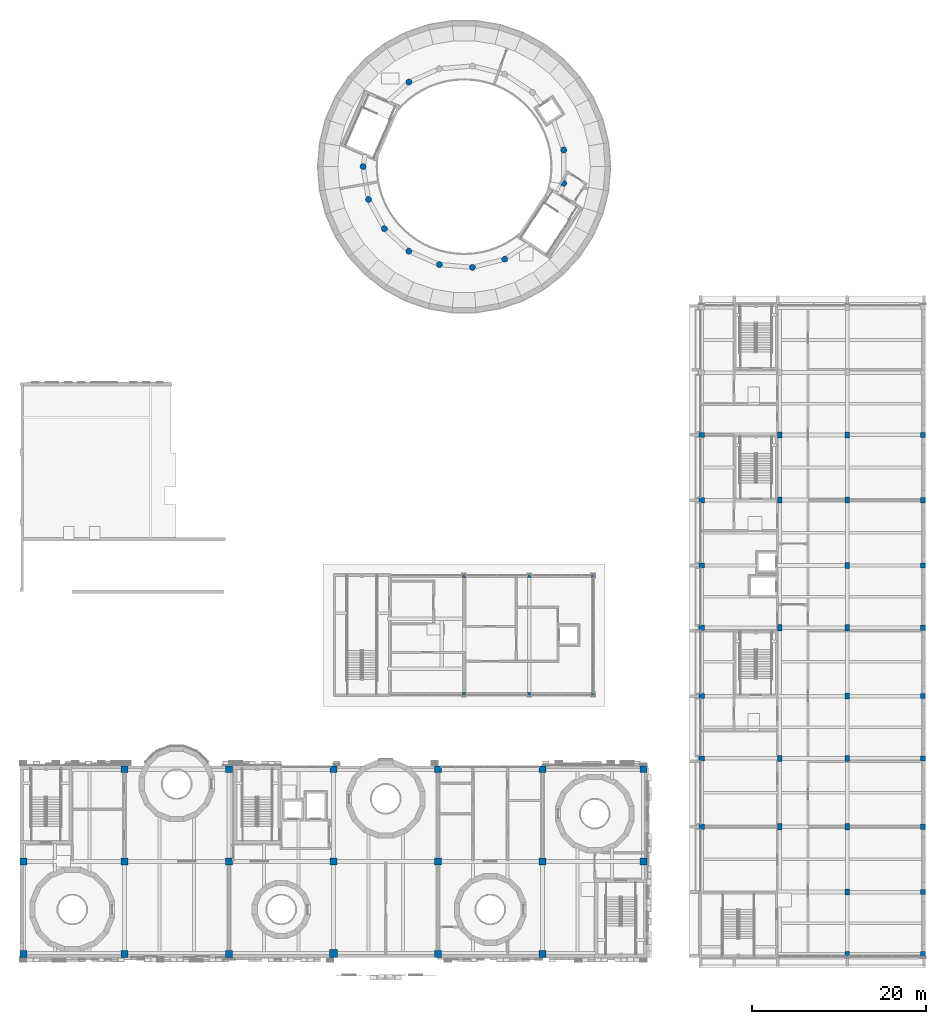
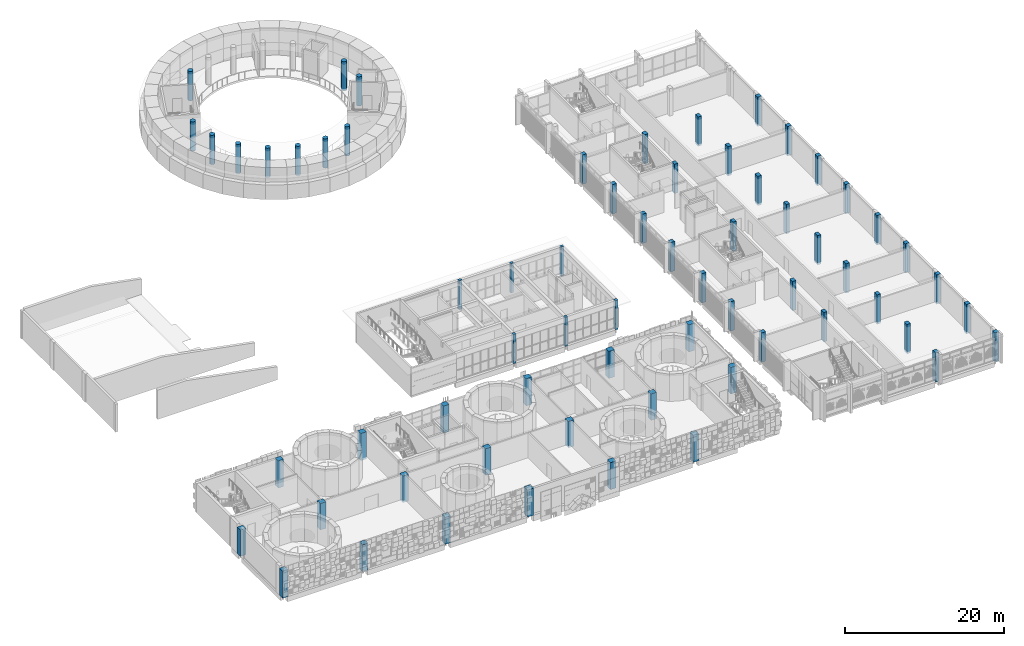
# One storey, part 1 of 92: 65 columns.
"""IFC4 building model written with IfcOpenShell, lengths in metres."""

from ifc_helpers import new_model, si_unit, direction, frame, origin, origin_2d, place, context, subcontext, project, spatial, rectangle, circle, extrude, material, material_profile, profile_set, type_object, element, save


model = new_model("IFC4")

# Units and contexts
model_context = context("Model", 3, precision=1e-05, world=origin(), true_north=direction((0.0, 1.0)))
body_context = subcontext(model_context, "Body", "Model", "MODEL_VIEW")
ifc_project = project(units=[si_unit("LENGTHUNIT", "METRE"), si_unit("AREAUNIT", "SQUARE_METRE"), si_unit("VOLUMEUNIT", "CUBIC_METRE"), si_unit("PLANEANGLEUNIT", "RADIAN"), si_unit("MASSUNIT", "GRAM", prefix="KILO")], contexts=[model_context])

# Site, building, storey
site_placement = place(None, origin())
site = spatial("IfcSite", under=ifc_project, at=site_placement, CompositionType="ELEMENT")
building_placement = place(site_placement, origin())
building = spatial("IfcBuilding", under=site, at=building_placement, Name="Sun Court Science Centre", CompositionType="ELEMENT")
storey_placement = place(building_placement, frame((0.0, 0.0, 11.25)))
storey = spatial("IfcBuildingStorey", under=building, at=storey_placement, Name="L02", CompositionType="ELEMENT", Elevation=11.25)

# Columns
ifc_material_1 = material(Name="Concrete C30/37", Category="concrete")
ifc_material_profile_1 = material_profile(ifc_material_1, rectangle(XDim=0.39990234375, YDim=0.39990234375, at=origin_2d()), Name="RC 400x400")
ifc_profile_set_1 = profile_set([ifc_material_profile_1], Name="Concrete C30/37")
column_type_1 = type_object("IfcColumnType", Name="RC column 400x400", PredefinedType="COLUMN", material=ifc_profile_set_1)
for number, where, z_axis, x_axis, name in (
    (1, (51.0, 36.199951171875, -0.300048828125), (0.0, 0.0, 1.0), (1.0, 0.0, 0.0), "Column 7G L02"),
    (2, (51.0, 49.800048828125, -0.300048828125), (0.0, 0.0, 1.0), (1.0, 0.0, 0.0), "Column 750 L02"),
    (3, (58.5, 36.199951171875, -0.300048828125), (0.0, 0.0, 1.0), (1.0, 0.0, 0.0), "Column 8G L02"),
    (4, (58.5, 49.800048828125, -0.300048828125), (0.0, 0.0, 1.0), (1.0, 0.0, 0.0), "Column 850 L02"),
    (5, (65.800048828125, 36.199951171875, -0.300048828125), (0.0, 0.0, 1.0), (1.0, 0.0, 0.0), "Column 10G L02"),
    (6, (65.800048828125, 49.800048828125, -0.300048828125), (0.0, 0.0, 1.0), (1.0, 0.0, 0.0), "Column 1050 L02"),
):
    element("IfcColumn", number, at=place(storey_placement, frame(where, z_axis=z_axis, x_axis=x_axis)), inside=storey, type_object=column_type_1, Name=name, PredefinedType="COLUMN", context=body_context, shape_type="SweptSolid", body=[
        extrude(rectangle(XDim=0.39990234375, YDim=0.39990234375, at=origin_2d()), origin(), (0.0, 0.0, 1.0), 4.5),
    ])
ifc_material_2 = material(Name="Concrete C30/37", Category="concrete")
ifc_material_profile_2 = material_profile(ifc_material_2, rectangle(XDim=0.5, YDim=0.699951171875, at=origin_2d()), Name="RC 500x700")
ifc_profile_set_2 = profile_set([ifc_material_profile_2], Name="Concrete C30/37")
column_type_2 = type_object("IfcColumnType", Name="RC column 500x700", PredefinedType="COLUMN", material=ifc_profile_set_2)
for number, where, z_axis, x_axis, name in (
    (7, (87.25, 21.0, -0.300048828125), (0.0, 0.0, 1.0), (1.0, 0.0, 0.0), "Column 14D L02"),
    (8, (87.25, 28.85009765625, -0.300048828125), (0.0, 0.0, 1.0), (1.0, 0.0, 0.0), "Column 14F L02"),
    (9, (87.25, 43.85009765625, -0.300048828125), (0.0, 0.0, 1.0), (1.0, 0.0, 0.0), "Column 14J L02"),
    (10, (87.25, 58.5, -0.300048828125), (0.0, 0.0, 1.0), (1.0, 0.0, 0.0), "Column 14P L02"),
    (11, (87.25, 66.0, -0.300048828125), (0.0, 0.0, 1.0), (1.0, 0.0, 0.0), "Column 14R L02"),
    (12, (95.0, 6.35009765625, -0.300048828125), (0.0, 0.0, 1.0), (1.0, 0.0, 0.0), "Column 15A L02"),
    (13, (95.0, 13.5, -0.300048828125), (0.0, 0.0, 1.0), (1.0, 0.0, 0.0), "Column 15B L02"),
    (14, (95.0, 21.0, -0.300048828125), (0.0, 0.0, 1.0), (1.0, 0.0, 0.0), "Column 15D L02"),
    (15, (95.0, 28.85009765625, -0.300048828125), (0.0, 0.0, 1.0), (1.0, 0.0, 0.0), "Column 15F L02"),
    (16, (95.0, 36.0, -0.300048828125), (0.0, 0.0, 1.0), (1.0, 0.0, 0.0), "Column 15G L02"),
    (17, (95.0, 43.85009765625, -0.300048828125), (0.0, 0.0, 1.0), (1.0, 0.0, 0.0), "Column 15J L02"),
    (18, (95.0, 51.0, -0.300048828125), (0.0, 0.0, 1.0), (1.0, 0.0, 0.0), "Column 15M L02"),
    (19, (95.0, 58.5, -0.300048828125), (0.0, 0.0, 1.0), (1.0, 0.0, 0.0), "Column 15P L02"),
    (20, (95.0, 66.0, -0.300048828125), (0.0, 0.0, 1.0), (1.0, 0.0, 0.0), "Column 15R L02"),
):
    element("IfcColumn", number, at=place(storey_placement, frame(where, z_axis=z_axis, x_axis=x_axis)), inside=storey, type_object=column_type_2, Name=name, PredefinedType="COLUMN", context=body_context, shape_type="SweptSolid", body=[
        extrude(rectangle(XDim=0.5, YDim=0.699951171875, at=origin_2d()), origin(), (0.0, 0.0, 1.0), 4.5),
    ])
ifc_material_3 = material(Name="Concrete C30/37", Category="concrete")
ifc_material_profile_3 = material_profile(ifc_material_3, rectangle(XDim=0.60009765625, YDim=0.60009765625, at=origin_2d()), Name="RC 600x600")
ifc_profile_set_3 = profile_set([ifc_material_profile_3], Name="Concrete C30/37")
column_type_3 = type_object("IfcColumnType", Name="RC column 600x600", PredefinedType="COLUMN", material=ifc_profile_set_3)
for number, where, z_axis, x_axis, name in (
    (21, (78.300048828125, 21.0, -0.300048828125), (0.0, 0.0, 1.0), (1.0, 0.0, 0.0), "Column 12D L02"),
    (22, (78.300048828125, 28.85009765625, -0.300048828125), (0.0, 0.0, 1.0), (1.0, 0.0, 0.0), "Column 12F L02"),
    (23, (78.300048828125, 36.0, -0.300048828125), (0.0, 0.0, 1.0), (1.0, 0.0, 0.0), "Column 12G L02"),
    (24, (78.300048828125, 43.85009765625, -0.300048828125), (0.0, 0.0, 1.0), (1.0, 0.0, 0.0), "Column 12J L02"),
    (25, (78.300048828125, 51.0, -0.300048828125), (0.0, 0.0, 1.0), (1.0, 0.0, 0.0), "Column 12M L02"),
    (26, (78.300048828125, 58.5, -0.300048828125), (0.0, 0.0, 1.0), (1.0, 0.0, 0.0), "Column 12P L02"),
    (27, (78.300048828125, 66.0, -0.300048828125), (0.0, 0.0, 1.0), (1.0, 0.0, 0.0), "Column 12R L02"),
    (28, (103.699951171875, 6.35009765625, -0.300048828125), (0.0, 0.0, 1.0), (1.0, 0.0, 0.0), "Column 16A L02"),
    (29, (103.699951171875, 13.5, -0.300048828125), (0.0, 0.0, 1.0), (1.0, 0.0, 0.0), "Column 16B L02"),
    (30, (103.699951171875, 21.0, -0.300048828125), (0.0, 0.0, 1.0), (1.0, 0.0, 0.0), "Column 16D L02"),
    (31, (103.699951171875, 28.85009765625, -0.300048828125), (0.0, 0.0, 1.0), (1.0, 0.0, 0.0), "Column 16F L02"),
    (32, (103.699951171875, 36.0, -0.300048828125), (0.0, 0.0, 1.0), (1.0, 0.0, 0.0), "Column 16G L02"),
    (33, (103.699951171875, 43.85009765625, -0.300048828125), (0.0, 0.0, 1.0), (1.0, 0.0, 0.0), "Column 16J L02"),
    (34, (103.699951171875, 51.0, -0.300048828125), (0.0, 0.0, 1.0), (1.0, 0.0, 0.0), "Column 16M L02"),
    (35, (103.699951171875, 58.5, -0.300048828125), (0.0, 0.0, 1.0), (1.0, 0.0, 0.0), "Column 16P L02"),
    (36, (103.699951171875, 66.0, -0.300048828125), (0.0, 0.0, 1.0), (1.0, 0.0, 0.0), "Column 16R L02"),
):
    element("IfcColumn", number, at=place(storey_placement, frame(where, z_axis=z_axis, x_axis=x_axis)), inside=storey, type_object=column_type_3, Name=name, PredefinedType="COLUMN", context=body_context, shape_type="SweptSolid", body=[
        extrude(rectangle(XDim=0.60009765625, YDim=0.60009765625, at=origin_2d()), origin(), (0.0, 0.0, 1.0), 4.5),
    ])
ifc_material_4 = material(Name="Concrete C30/37", Category="concrete")
ifc_material_profile_4 = material_profile(ifc_material_4, rectangle(XDim=0.800048828125, YDim=0.800048828125, at=origin_2d()), Name="RC 800x800")
ifc_profile_set_4 = profile_set([ifc_material_profile_4], Name="Concrete C30/37")
column_type_4 = type_object("IfcColumnType", Name="RC column 800x800", PredefinedType="COLUMN", material=ifc_profile_set_4)
column_1_placement = place(storey_placement, frame((0.39990234375, 6.39990234375, -0.300048828125), z_axis=(0.0, 0.0, 1.0), x_axis=(1.0, 0.0, 0.0)))
element("IfcColumn", 37, at=column_1_placement, inside=storey, type_object=column_type_4, Name="Column 1A L02", PredefinedType="COLUMN", context=body_context, shape_type="SweptSolid", body=[
    extrude(rectangle(XDim=0.800048828125, YDim=0.800048828125, at=origin_2d()), origin(), (0.0, 0.0, 1.0), 4.16015625),
])
column_2_placement = place(storey_placement, frame((0.39990234375, 17.0, -0.300048828125), z_axis=(0.0, 0.0, 1.0), x_axis=(1.0, 0.0, 0.0)))
element("IfcColumn", 38, at=column_2_placement, inside=storey, type_object=column_type_4, Name="Column 1C L02", PredefinedType="COLUMN", context=body_context, shape_type="SweptSolid", body=[
    extrude(rectangle(XDim=0.800048828125, YDim=0.800048828125, at=origin_2d()), origin(), (0.0, 0.0, 1.0), 4.050048828125),
])
column_3_placement = place(storey_placement, frame((12.0, 6.39990234375, -0.300048828125), z_axis=(0.0, 0.0, 1.0), x_axis=(1.0, 0.0, 0.0)))
element("IfcColumn", 39, at=column_3_placement, inside=storey, type_object=column_type_4, Name="Column 2A L02", PredefinedType="COLUMN", context=body_context, shape_type="SweptSolid", body=[
    extrude(rectangle(XDim=0.800048828125, YDim=0.800048828125, at=origin_2d()), origin(), (0.0, 0.0, 1.0), 4.16015625),
])
column_4_placement = place(storey_placement, frame((12.0, 17.0, -0.300048828125), z_axis=(0.0, 0.0, 1.0), x_axis=(1.0, 0.0, 0.0)))
element("IfcColumn", 40, at=column_4_placement, inside=storey, type_object=column_type_4, Name="Column 2C L02", PredefinedType="COLUMN", context=body_context, shape_type="SweptSolid", body=[
    extrude(rectangle(XDim=0.800048828125, YDim=0.800048828125, at=origin_2d()), origin(), (0.0, 0.0, 1.0), 4.050048828125),
])
for number, where, z_axis, x_axis, name in (
    (41, (12.0, 27.60009765625, -0.300048828125), (0.0, 0.0, 1.0), (1.0, 0.0, 0.0), "Column 2E L02"),
    (42, (24.0, 6.39990234375, -0.300048828125), (0.0, 0.0, 1.0), (1.0, 0.0, 0.0), "Column 3A L02"),
):
    element("IfcColumn", number, at=place(storey_placement, frame(where, z_axis=z_axis, x_axis=x_axis)), inside=storey, type_object=column_type_4, Name=name, PredefinedType="COLUMN", context=body_context, shape_type="SweptSolid", body=[
        extrude(rectangle(XDim=0.800048828125, YDim=0.800048828125, at=origin_2d()), origin(), (0.0, 0.0, 1.0), 4.16015625),
    ])
column_5_placement = place(storey_placement, frame((24.0, 17.0, -0.300048828125), z_axis=(0.0, 0.0, 1.0), x_axis=(1.0, 0.0, 0.0)))
element("IfcColumn", 43, at=column_5_placement, inside=storey, type_object=column_type_4, Name="Column 3C L02", PredefinedType="COLUMN", context=body_context, shape_type="SweptSolid", body=[
    extrude(rectangle(XDim=0.800048828125, YDim=0.800048828125, at=origin_2d()), origin(), (0.0, 0.0, 1.0), 4.050048828125),
])
column_6_placement = place(storey_placement, frame((24.0, 27.60009765625, -0.300048828125), z_axis=(0.0, 0.0, 1.0), x_axis=(1.0, 0.0, 0.0)))
element("IfcColumn", 44, at=column_6_placement, inside=storey, type_object=column_type_4, Name="Column 3E L02", PredefinedType="COLUMN", context=body_context, shape_type="SweptSolid", body=[
    extrude(rectangle(XDim=0.800048828125, YDim=0.800048828125, at=origin_2d()), origin(), (0.0, 0.0, 1.0), 4.16015625),
])
column_7_placement = place(storey_placement, frame((36.0, 17.0, -0.300048828125), z_axis=(0.0, 0.0, 1.0), x_axis=(1.0, 0.0, 0.0)))
element("IfcColumn", 45, at=column_7_placement, inside=storey, type_object=column_type_4, Name="Column 4C L02", PredefinedType="COLUMN", context=body_context, shape_type="SweptSolid", body=[
    extrude(rectangle(XDim=0.800048828125, YDim=0.800048828125, at=origin_2d()), origin(), (0.0, 0.0, 1.0), 4.050048828125),
])
for number, where, z_axis, x_axis, name in (
    (46, (36.0, 27.60009765625, -0.300048828125), (0.0, 0.0, 1.0), (1.0, 0.0, 0.0), "Column 4E L02"),
    (47, (48.0, 6.39990234375, -0.300048828125), (0.0, 0.0, 1.0), (1.0, 0.0, 0.0), "Column 6A L02"),
):
    element("IfcColumn", number, at=place(storey_placement, frame(where, z_axis=z_axis, x_axis=x_axis)), inside=storey, type_object=column_type_4, Name=name, PredefinedType="COLUMN", context=body_context, shape_type="SweptSolid", body=[
        extrude(rectangle(XDim=0.800048828125, YDim=0.800048828125, at=origin_2d()), origin(), (0.0, 0.0, 1.0), 4.16015625),
    ])
column_8_placement = place(storey_placement, frame((48.0, 17.0, -0.300048828125), z_axis=(0.0, 0.0, 1.0), x_axis=(1.0, 0.0, 0.0)))
element("IfcColumn", 48, at=column_8_placement, inside=storey, type_object=column_type_4, Name="Column 6C L02", PredefinedType="COLUMN", context=body_context, shape_type="SweptSolid", body=[
    extrude(rectangle(XDim=0.800048828125, YDim=0.800048828125, at=origin_2d()), origin(), (0.0, 0.0, 1.0), 4.050048828125),
])
for number, where, z_axis, x_axis, name in (
    (49, (48.0, 27.60009765625, -0.300048828125), (0.0, 0.0, 1.0), (1.0, 0.0, 0.0), "Column 6E L02"),
    (50, (60.0, 6.39990234375, -0.300048828125), (0.0, 0.0, 1.0), (1.0, 0.0, 0.0), "Column 9A L02"),
):
    element("IfcColumn", number, at=place(storey_placement, frame(where, z_axis=z_axis, x_axis=x_axis)), inside=storey, type_object=column_type_4, Name=name, PredefinedType="COLUMN", context=body_context, shape_type="SweptSolid", body=[
        extrude(rectangle(XDim=0.800048828125, YDim=0.800048828125, at=origin_2d()), origin(), (0.0, 0.0, 1.0), 4.16015625),
    ])
column_9_placement = place(storey_placement, frame((60.0, 17.0, -0.300048828125), z_axis=(0.0, 0.0, 1.0), x_axis=(1.0, 0.0, 0.0)))
element("IfcColumn", 51, at=column_9_placement, inside=storey, type_object=column_type_4, Name="Column 9C L02", PredefinedType="COLUMN", context=body_context, shape_type="SweptSolid", body=[
    extrude(rectangle(XDim=0.800048828125, YDim=0.800048828125, at=origin_2d()), origin(), (0.0, 0.0, 1.0), 4.050048828125),
])
column_10_placement = place(storey_placement, frame((60.0, 27.60009765625, -0.300048828125), z_axis=(0.0, 0.0, 1.0), x_axis=(1.0, 0.0, 0.0)))
element("IfcColumn", 52, at=column_10_placement, inside=storey, type_object=column_type_4, Name="Column 9E L02", PredefinedType="COLUMN", context=body_context, shape_type="SweptSolid", body=[
    extrude(rectangle(XDim=0.800048828125, YDim=0.800048828125, at=origin_2d()), origin(), (0.0, 0.0, 1.0), 4.16015625),
])
column_11_placement = place(storey_placement, frame((71.60009765625, 17.0, -0.300048828125), z_axis=(0.0, 0.0, 1.0), x_axis=(1.0, 0.0, 0.0)))
element("IfcColumn", 53, at=column_11_placement, inside=storey, type_object=column_type_4, Name="Column 11C L02", PredefinedType="COLUMN", context=body_context, shape_type="SweptSolid", body=[
    extrude(rectangle(XDim=0.800048828125, YDim=0.800048828125, at=origin_2d()), origin(), (0.0, 0.0, 1.0), 4.050048828125),
])
column_12_placement = place(storey_placement, frame((71.60009765625, 27.60009765625, -0.300048828125), z_axis=(0.0, 0.0, 1.0), x_axis=(1.0, 0.0, 0.0)))
element("IfcColumn", 54, at=column_12_placement, inside=storey, type_object=column_type_4, Name="Column 11E L02", PredefinedType="COLUMN", context=body_context, shape_type="SweptSolid", body=[
    extrude(rectangle(XDim=0.800048828125, YDim=0.800048828125, at=origin_2d()), origin(), (0.0, 0.0, 1.0), 4.16015625),
])
ifc_material_5 = material(Name="Concrete C30/37", Category="concrete")
ifc_material_profile_5 = material_profile(ifc_material_5, rectangle(XDim=0.89990234375, YDim=0.89990234375, at=origin_2d()), Name="RC 900x900")
ifc_profile_set_5 = profile_set([ifc_material_profile_5], Name="Concrete C30/37")
column_type_5 = type_object("IfcColumnType", Name="RC column 900x900", PredefinedType="COLUMN", material=ifc_profile_set_5)
column_13_placement = place(storey_placement, frame((36.0, 6.449951171875, -0.300048828125), z_axis=(0.0, 0.0, 1.0), x_axis=(1.0, 0.0, 0.0)))
element("IfcColumn", 55, at=column_13_placement, inside=storey, type_object=column_type_5, Name="Column 4A L02", PredefinedType="COLUMN", context=body_context, shape_type="SweptSolid", body=[
    extrude(rectangle(XDim=0.89990234375, YDim=0.89990234375, at=origin_2d()), origin(), (0.0, 0.0, 1.0), 4.16015625),
])
ifc_material_6 = material(Name="Concrete C30/37", Category="concrete")
ifc_material_profile_6 = material_profile(ifc_material_6, circle(Radius=0.35009765625, at=origin_2d()), Name="RC D700")
ifc_profile_set_6 = profile_set([ifc_material_profile_6], Name="Concrete C30/37")
column_type_6 = type_object("IfcColumnType", Name="RC column D700", PredefinedType="COLUMN", material=ifc_profile_set_6)
for number, where, z_axis, x_axis, name in (
    (56, (62.44189453125, 98.709228515625, -0.300048828125), (0.0, 0.0, 1.0), (1.0, 0.0, 0.0), "Column B01 L02"),
    (57, (44.655517578125, 106.51123046875, -0.300048828125), (0.0, 0.0, 1.0), (1.0, 0.0, 0.0), "Column B07 L02"),
    (58, (39.39990234375, 96.800048828125, -0.300048828125), (0.0, 0.0, 1.0), (1.0, 0.0, 0.0), "Column B10 L02"),
    (59, (40.028564453125, 93.033447265625, -0.300048828125), (0.0, 0.0, 1.0), (1.0, 0.0, 0.0), "Column B11 L02"),
    (60, (41.845947265625, 89.675048828125, -0.300048828125), (0.0, 0.0, 1.0), (1.0, 0.0, 0.0), "Column B12 L02"),
    (61, (44.655517578125, 87.0888671875, -0.300048828125), (0.0, 0.0, 1.0), (1.0, 0.0, 0.0), "Column B13 L02"),
    (62, (48.15234375, 85.554931640625, -0.300048828125), (0.0, 0.0, 1.0), (1.0, 0.0, 0.0), "Column B14 L02"),
    (63, (51.9580078125, 85.239501953125, -0.300048828125), (0.0, 0.0, 1.0), (1.0, 0.0, 0.0), "Column B15 L02"),
    (64, (55.65966796875, 86.177001953125, -0.300048828125), (0.0, 0.0, 1.0), (1.0, 0.0, 0.0), "Column B16 L02"),
    (65, (62.44189453125, 94.890625, -0.300048828125), (0.0, 0.0, 1.0), (1.0, 0.0, 0.0), "Column B19 L02"),
):
    element("IfcColumn", number, at=place(storey_placement, frame(where, z_axis=z_axis, x_axis=x_axis)), inside=storey, type_object=column_type_6, Name=name, PredefinedType="COLUMN", context=body_context, shape_type="SweptSolid", body=[
        extrude(circle(Radius=0.35009765625, at=origin_2d()), origin(), (0.0, 0.0, 1.0), 4.5),
    ])

save(model, "model.ifc")
